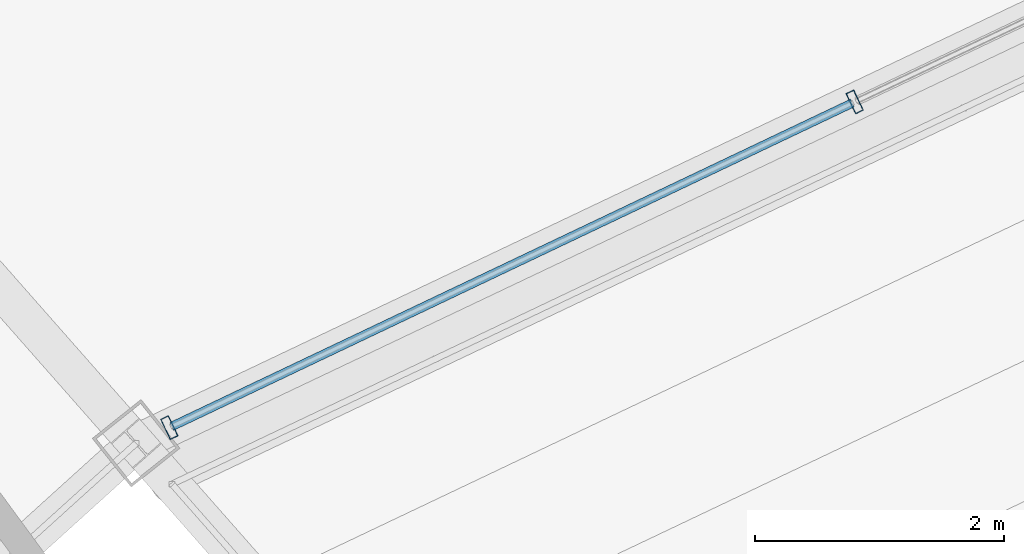
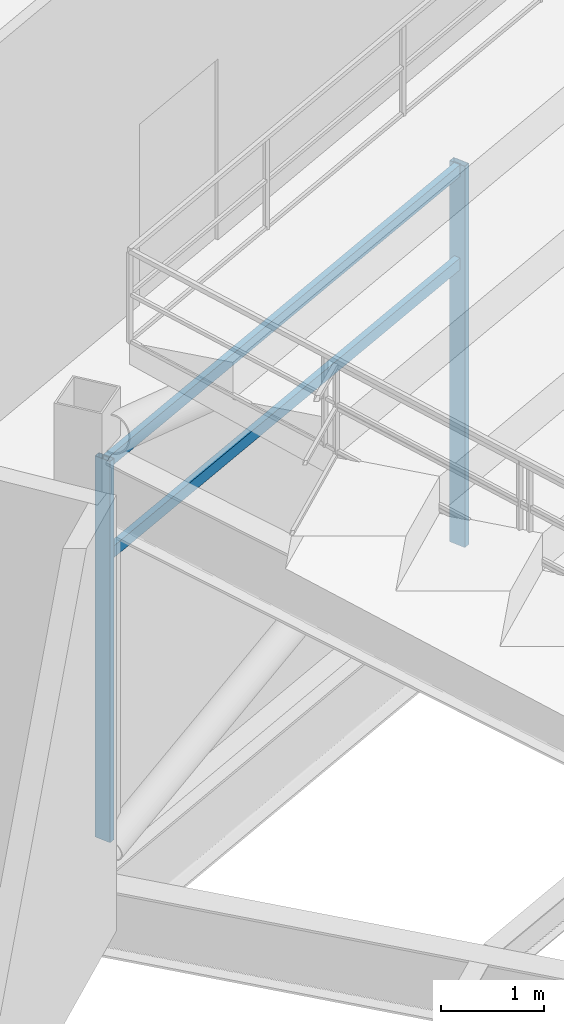
# One storey, part 87 of 186: 4 members, 1 element without a shape of its own.
"""IFC4 building model written with IfcOpenShell, lengths in metres."""

from ifc_helpers import new_model, si_unit, direction, frame, origin, origin_2d, place, context, subcontext, project, spatial, hollow_rectangle, extrude, material, layer, layer_set, material_profile, profile_set, type_object, element, aggregate, save


model = new_model("IFC4")

# Units and contexts
model_context = context("Model", 3, precision=1e-05, world=origin(), true_north=direction((0.0, 1.0)))
body_context = subcontext(model_context, "Body", "Model", "MODEL_VIEW")
ifc_project = project(units=[si_unit("LENGTHUNIT", "METRE"), si_unit("AREAUNIT", "SQUARE_METRE"), si_unit("VOLUMEUNIT", "CUBIC_METRE"), si_unit("PLANEANGLEUNIT", "RADIAN"), si_unit("MASSUNIT", "GRAM", prefix="KILO")], contexts=[model_context])

# Site, building, storey
site_placement = place(None, origin())
site = spatial("IfcSite", under=ifc_project, at=site_placement, CompositionType="ELEMENT")
building_placement = place(site_placement, origin())
building = spatial("IfcBuilding", under=site, at=building_placement, Name="Kazemori Nagisa Stadium", CompositionType="ELEMENT")
storey_placement = place(building_placement, frame((0.0, 0.0, 20.39990234375)))
storey = spatial("IfcBuildingStorey", under=building, at=storey_placement, Name="L04", CompositionType="ELEMENT", Elevation=20.39990234375)

# Curtain wall, members
ifc_material_1 = material(Name="Anodised aluminium 6063-T5", Category="aluminium")
ifc_layer = layer(ifc_material_1, 0.179931640625, Name="Anodised aluminium 6063-T5", Category="aluminium")
ifc_layer_set = layer_set([ifc_layer], Name="Anodised aluminium 6063-T5")
curtain_wall_type = type_object("IfcCurtainWallType", Name="CW_L04B_92", PredefinedType="USERDEFINED", material=ifc_layer_set)
curtain_wall_placement = place(storey_placement, origin())
curtain_wall = element("IfcCurtainWall", 1, at=curtain_wall_placement, inside=storey, type_object=curtain_wall_type, Name="Unitised curtain wall CW-L04B-92 L04", ObjectType="UNITISED CURTAIN WALL", PredefinedType="USERDEFINED")
ifc_material_2 = material(Name="Aluminium 6063-T5 anodised", Category="aluminium")
ifc_material_profile_1 = material_profile(ifc_material_2, hollow_rectangle(XDim=0.070068359375, YDim=0.179931640625, WallThickness=0.00390625, at=origin_2d()), Name="ALU-MULL-70x180x4")
ifc_profile_set_1 = profile_set([ifc_material_profile_1], Name="Aluminium 6063-T5 anodised")
member_type_1 = type_object("IfcMemberType", Name="Mullion_M01", PredefinedType="MULLION", material=ifc_profile_set_1)
member_1_placement = place(storey_placement, frame((74.9287109375, 165.84912109375, 0.0), z_axis=(0.0, 0.0, 1.0), x_axis=(-0.903215892654, -0.429186499388, 0.0)))
member_1 = element("IfcMember", 2, at=member_1_placement, type_object=member_type_1, Name="Curtain wall mullion CW-L04B-92-M3", PredefinedType="MULLION", context=body_context, shape_type="SweptSolid", body=[
    extrude(hollow_rectangle(XDim=0.070068359375, YDim=0.179931640625, WallThickness=0.00390625, at=origin_2d()), origin(), (0.0, 0.0, 1.0), 4.530029296875),
])
member_2_placement = place(storey_placement, frame((69.43212890625, 163.2373046875, 0.0), z_axis=(0.0, 0.0, 1.0), x_axis=(-0.903215892654, -0.429186499388, 0.0)))
member_2 = element("IfcMember", 3, at=member_2_placement, type_object=member_type_1, Name="Curtain wall mullion CW-L04B-92-M4", PredefinedType="MULLION", context=body_context, shape_type="SweptSolid", body=[
    extrude(hollow_rectangle(XDim=0.070068359375, YDim=0.179931640625, WallThickness=0.00390625, at=origin_2d()), origin(), (0.0, 0.0, 1.0), 4.530029296875),
])
ifc_material_profile_2 = material_profile(ifc_material_2, hollow_rectangle(XDim=0.070068359375, YDim=0.139892578125, WallThickness=0.00390625, at=origin_2d()), Name="ALU-TRAN-70x140x4")
ifc_profile_set_2 = profile_set([ifc_material_profile_2], Name="Aluminium 6063-T5 anodised")
member_type_2 = type_object("IfcMemberType", Name="Transom_T01", PredefinedType="USERDEFINED", material=ifc_profile_set_2)
member_3_placement = place(storey_placement, frame((74.91064453125, 165.840576171875, 3.352294921875), z_axis=(-0.90321254302, -0.429193548566, 0.0), x_axis=(0.429193548566, -0.90321254302, 0.0)))
member_3 = element("IfcMember", 4, at=member_3_placement, type_object=member_type_2, Name="Curtain wall transom CW-L04B-92-T3-mid", ObjectType="TRANSOM", PredefinedType="USERDEFINED", context=body_context, shape_type="SweptSolid", body=[
    extrude(hollow_rectangle(XDim=0.070068359375, YDim=0.139892578125, WallThickness=0.00390625, at=origin_2d()), origin(), (0.0, 0.0, 1.0), 6.045654296875),
])
member_4_placement = place(storey_placement, frame((74.91064453125, 165.840576171875, 4.460205078125), z_axis=(-0.90321254302, -0.429193548566, 0.0), x_axis=(0.429193548566, -0.90321254302, 0.0)))
member_4 = element("IfcMember", 5, at=member_4_placement, type_object=member_type_2, Name="Curtain wall transom CW-L04B-92-T3-head", ObjectType="TRANSOM", PredefinedType="USERDEFINED", context=body_context, shape_type="SweptSolid", body=[
    extrude(hollow_rectangle(XDim=0.070068359375, YDim=0.139892578125, WallThickness=0.00390625, at=origin_2d()), origin(), (0.0, 0.0, 1.0), 6.045654296875),
])
aggregate(curtain_wall, [member_1, member_2, member_3, member_4])

save(model, "model.ifc")
